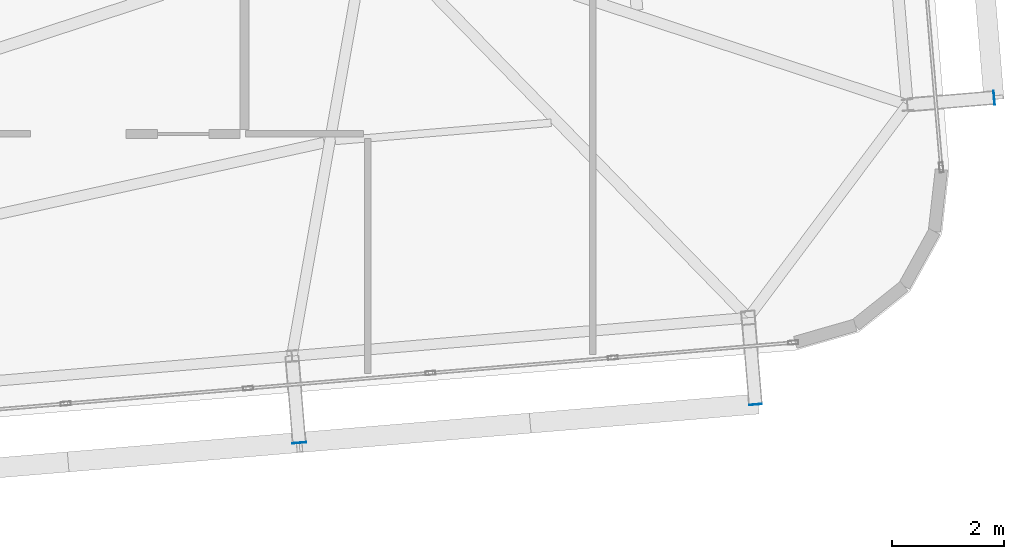
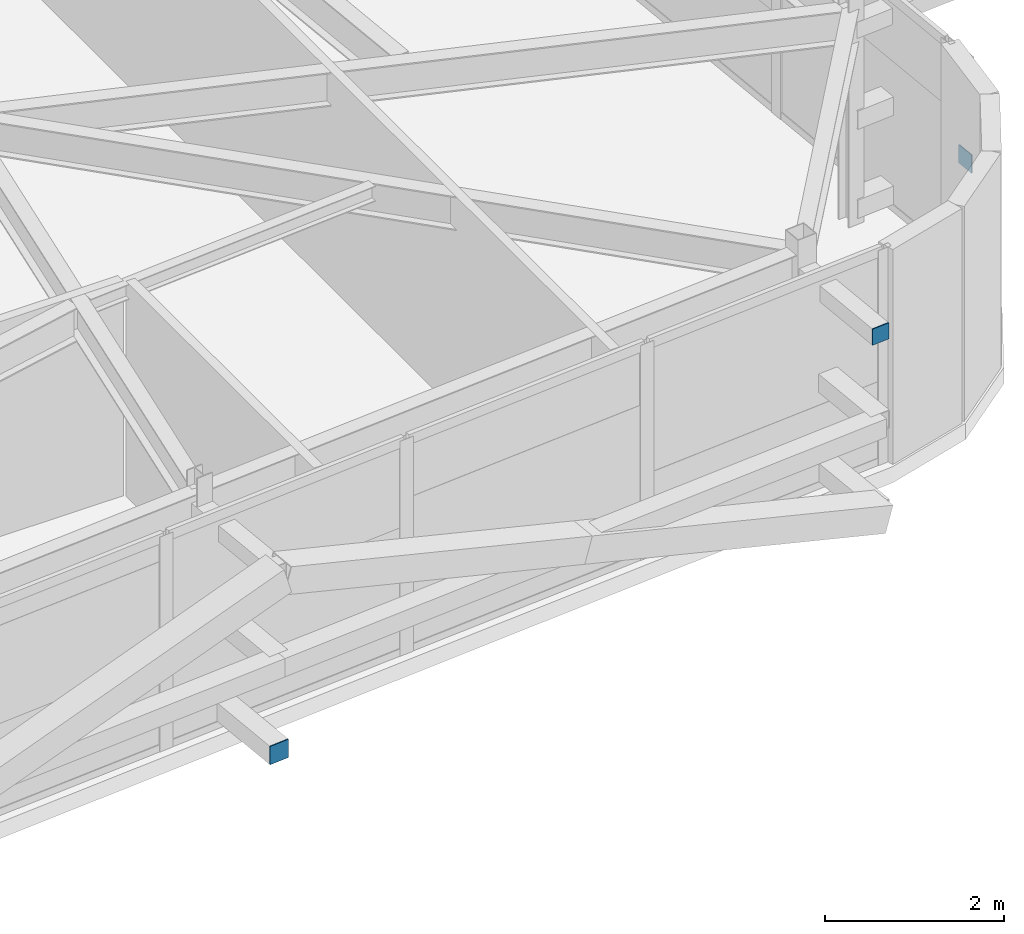
# One storey, part 37 of 46: 3 plates.
"""IFC4 building model written with IfcOpenShell, lengths in metres."""

import ifcopenshell
import ifcopenshell.guid

model = None  # the IFC model being written
_history = None  # IfcOwnerHistory: only IFC2X3 demands one
_inside = {}  # id of a spatial element -> (the spatial element, [elements in it])
_under = {}  # id of a project, library or spatial element -> (it, [spatial elements below it])
_declared = {}  # id of a project -> (the project, [libraries it declares])
_typed = {}  # id of a type object -> (the type object, [elements of that type])
_made_of = {}  # id of a material, layer set ... -> (it, [elements and type objects made of it])


def new_model(schema):
    """Start an empty IFC model of exactly this schema.

    Asked for "IFC4X3", IfcOpenShell would pick the latest addendum, in which some entities
    have other attributes; the version numbers below select the first issue.
    IFC2X3 requires an IfcOwnerHistory on every rooted entity: one is made here for all.
    """
    global model, _history
    if schema == "IFC4X3":
        model = ifcopenshell.file(schema_version=(4, 3, 0, 0))
    else:
        model = ifcopenshell.file(schema=schema)
    _inside.clear()
    _under.clear()
    _declared.clear()
    _typed.clear()
    _made_of.clear()
    _history = None
    if model.schema == "IFC2X3":
        org = make("IfcOrganization", Name="unknown")
        user = make(
            "IfcPersonAndOrganization",
            ThePerson=make("IfcPerson", FamilyName="unknown"),
            TheOrganization=org,
        )
        app = make(
            "IfcApplication",
            ApplicationDeveloper=org,
            Version="unknown",
            ApplicationFullName="unknown",
            ApplicationIdentifier="unknown",
        )
        _history = make(
            "IfcOwnerHistory",
            OwningUser=user,
            OwningApplication=app,
            ChangeAction="ADDED",
            CreationDate=0,
        )
    return model


def make(cls, **values):
    """One entity of the class cls with the attributes given. An attribute that is None is left unset."""
    return model.create_entity(
        cls, **{name: value for name, value in values.items() if value is not None}
    )


def rooted(cls, **values):
    """An entity with a GlobalId (a new one), such as an element, a storey or a relation."""
    return make(cls, GlobalId=ifcopenshell.guid.new(), OwnerHistory=_history, **values)


def si_unit(unit_type, name, prefix=None):
    """IfcSIUnit, for example si_unit("LENGTHUNIT", "METRE", prefix="MILLI")."""
    return make("IfcSIUnit", UnitType=unit_type, Prefix=prefix, Name=name)


def assignment(units):
    """IfcUnitAssignment: the units of a project."""
    return None if units is None else make("IfcUnitAssignment", Units=units)


def point(xyz):
    """IfcCartesianPoint."""
    return None if xyz is None else make("IfcCartesianPoint", Coordinates=xyz)


def direction(xyz):
    """IfcDirection."""
    return None if xyz is None else make("IfcDirection", DirectionRatios=xyz)


def frame(location, z_axis=None, x_axis=None):
    """IfcAxis2Placement3D, a coordinate frame: its origin and axes. An axis left out is left unset."""
    return make(
        "IfcAxis2Placement3D",
        Location=point(location),
        Axis=direction(z_axis),
        RefDirection=direction(x_axis),
    )


def frame_2d(location, x_axis=None):
    """IfcAxis2Placement2D, a coordinate frame in the plane: its origin and x axis."""
    return make(
        "IfcAxis2Placement2D", Location=point(location), RefDirection=direction(x_axis)
    )


def origin():
    """The frame at (0, 0, 0) with its axes left unset."""
    return frame((0.0, 0.0, 0.0))


def origin_2d():
    """The frame at (0, 0) in the plane with its x axis left unset."""
    return frame_2d((0.0, 0.0))


def place(relative_to, where):
    """IfcLocalPlacement: puts the frame where relative to a parent placement (None: the world)."""
    return make(
        "IfcLocalPlacement", PlacementRelTo=relative_to, RelativePlacement=where
    )


def context(
    kind, dimensions, precision=None, world=None, true_north=None, identifier=None
):
    """IfcGeometricRepresentationContext, for example the 3D "Model" context."""
    return make(
        "IfcGeometricRepresentationContext",
        ContextIdentifier=identifier,
        ContextType=kind,
        CoordinateSpaceDimension=dimensions,
        Precision=precision,
        WorldCoordinateSystem=world,
        TrueNorth=true_north,
    )


def subcontext(parent, identifier, kind, view, scale=None):
    """IfcGeometricRepresentationSubContext, for example "Body" below "Model"."""
    return make(
        "IfcGeometricRepresentationSubContext",
        ContextIdentifier=identifier,
        ContextType=kind,
        ParentContext=parent,
        TargetScale=scale,
        TargetView=view,
    )


def project(units=None, contexts=None):
    """IfcProject with its units and contexts."""
    return rooted(
        "IfcProject",
        Name="project",
        RepresentationContexts=contexts,
        UnitsInContext=assignment(units),
    )


def spatial(cls, under=None, at=None, **own):
    """A site, building, storey or space (cls), placed at a placement, below another one or the project."""
    s = rooted(cls, ObjectPlacement=at, **own)
    if under is not None:
        _under.setdefault(under.id(), (under, []))[1].append(s)
    return s


def profile(cls, at=None, kind="AREA", **sizes):
    """A parametric profile (cls). Its sizes go by their IFC names, for example OverallWidth=200.0."""
    return make(cls, ProfileType=kind, Position=at, **sizes)


def rectangle(**sizes):
    """IfcRectangleProfileDef."""
    return profile("IfcRectangleProfileDef", **sizes)


def extrude(swept, where, along, depth):
    """IfcExtrudedAreaSolid: the profile swept, set in the frame where, extruded along a direction by depth."""
    return make(
        "IfcExtrudedAreaSolid",
        SweptArea=swept,
        Position=where,
        ExtrudedDirection=direction(along),
        Depth=depth,
    )


def shape(context_of_items, identifier, shape_type, items):
    """IfcShapeRepresentation: the items that make up one representation, for example the "Body"."""
    return make(
        "IfcShapeRepresentation",
        ContextOfItems=context_of_items,
        RepresentationIdentifier=identifier,
        RepresentationType=shape_type,
        Items=items,
    )


def source(mapping_origin, context_of_items, identifier, shape_type, items):
    """IfcRepresentationMap: a shape defined once, which mapped items show again and again."""
    return make(
        "IfcRepresentationMap",
        MappingOrigin=mapping_origin,
        MappedRepresentation=shape(context_of_items, identifier, shape_type, items),
    )


def transform(
    local_origin,
    x_axis=None,
    y_axis=None,
    z_axis=None,
    scale=None,
    scale2=None,
    scale3=None,
    uniform=True,
):
    """IfcCartesianTransformationOperator3D, or its non-uniform kind. x_axis, y_axis, z_axis: its Axis1, 2, 3."""
    if uniform:
        return make(
            "IfcCartesianTransformationOperator3D",
            Axis1=direction(x_axis),
            Axis2=direction(y_axis),
            LocalOrigin=point(local_origin),
            Scale=scale,
            Axis3=direction(z_axis),
        )
    return make(
        "IfcCartesianTransformationOperator3DnonUniform",
        Axis1=direction(x_axis),
        Axis2=direction(y_axis),
        LocalOrigin=point(local_origin),
        Scale=scale,
        Axis3=direction(z_axis),
        Scale2=scale2,
        Scale3=scale3,
    )


def mapped(mapping_source, mapping_target):
    """IfcMappedItem: shows the shape of a source again, moved by a transform."""
    return make(
        "IfcMappedItem", MappingSource=mapping_source, MappingTarget=mapping_target
    )


def material(Name=None, Category=None):
    """IfcMaterial."""
    return make("IfcMaterial", Name=Name, Category=Category)


def layer(
    of_material, thickness, ventilated=None, Name=None, Category=None, Priority=None
):
    """IfcMaterialLayer: one layer of a wall or slab, of a material (None: an air gap)."""
    return make(
        "IfcMaterialLayer",
        Material=of_material,
        LayerThickness=thickness,
        IsVentilated=ventilated,
        Name=Name,
        Category=Category,
        Priority=Priority,
    )


def layer_set(layers, Name=None):
    """IfcMaterialLayerSet."""
    return make("IfcMaterialLayerSet", MaterialLayers=layers, LayerSetName=Name)


def made_of(thing, what):
    """Note that an element or type object is made of a material, layer set ...; save() writes the relation."""
    if what is not None:
        _made_of.setdefault(what.id(), (what, []))[1].append(thing)
    return thing


def type_object(cls, material=None, **own):
    """A type object (cls), such as IfcWallType, which elements share."""
    return made_of(rooted(cls, **own), material)


def element(
    cls,
    number,
    at=None,
    inside=None,
    cuts=None,
    type_object=None,
    material=None,
    context=None,
    identifier="Body",
    shape_type=None,
    held_by="IfcProductDefinitionShape",
    body=None,
    shapes=None,
    **own,
):
    """One element of the class cls, such as IfcWall. Its Tag is "e" and its number.

    at: its placement. inside: the storey or other place that contains it. cuts: it is an
    opening in that element (IfcRelVoidsElement). A single representation is given by context,
    identifier, shape_type and body (its items); several are given by shapes. held_by: the class
    of the entity that holds the representations. save() writes the other relations.
    """
    e = rooted(cls, Tag="e%d" % number, ObjectPlacement=at, **own)
    if body is not None:
        shapes = [shape(context, identifier, shape_type, body)]
    if shapes is not None:
        e.Representation = make(held_by, Representations=shapes)
    if inside is not None:
        _inside.setdefault(inside.id(), (inside, []))[1].append(e)
    if cuts is not None:
        rooted(
            "IfcRelVoidsElement", RelatingBuildingElement=cuts, RelatedOpeningElement=e
        )
    if type_object is not None:
        _typed.setdefault(type_object.id(), (type_object, []))[1].append(e)
    return made_of(e, material)


def aggregate(whole, parts):
    """IfcRelAggregates: a whole, such as a stair, and the parts it consists of."""
    return rooted("IfcRelAggregates", RelatingObject=whole, RelatedObjects=parts)


def save(model, path):
    """Write the relations noted so far, then the file.

    IfcRelAggregates (storeys below a building ...), IfcRelContainedInSpatialStructure (elements
    in a storey), IfcRelDefinesByType, IfcRelAssociatesMaterial and IfcRelDeclares: one each for
    every whole, place, type object, material and project.
    """
    for whole, parts in _under.values():
        aggregate(whole, parts)
    for where, things in _inside.values():
        rooted(
            "IfcRelContainedInSpatialStructure",
            RelatedElements=things,
            RelatingStructure=where,
        )
    for kind, things in _typed.values():
        rooted("IfcRelDefinesByType", RelatedObjects=things, RelatingType=kind)
    for what, things in _made_of.values():
        rooted("IfcRelAssociatesMaterial", RelatedObjects=things, RelatingMaterial=what)
    for by, libraries in _declared.values():
        rooted("IfcRelDeclares", RelatingContext=by, RelatedDefinitions=libraries)
    model.write(path)


model = new_model("IFC4")

# Units and contexts
model_context = context("Model", 3, precision=1e-05, world=origin(), true_north=direction((0.0, 1.0)))
body_context = subcontext(model_context, "Body", "Model", "MODEL_VIEW")
ifc_project = project(units=[si_unit("LENGTHUNIT", "METRE"), si_unit("AREAUNIT", "SQUARE_METRE"), si_unit("VOLUMEUNIT", "CUBIC_METRE"), si_unit("PLANEANGLEUNIT", "RADIAN"), si_unit("MASSUNIT", "GRAM", prefix="KILO")], contexts=[model_context])

# Site, building, storey
site_placement = place(None, origin())
site = spatial("IfcSite", under=ifc_project, at=site_placement, CompositionType="ELEMENT")
building_placement = place(site_placement, origin())
building = spatial("IfcBuilding", under=site, at=building_placement, Name="Taldren Reach Tower", CompositionType="ELEMENT")
storey_placement = place(building_placement, frame((0.0, 0.0, 194.60009765625)))
storey = spatial("IfcBuildingStorey", under=building, at=storey_placement, Name="L59", CompositionType="ELEMENT", Elevation=194.60009765625)

# Plates
ifc_material_1 = material(Name="Steel Gr 350 (C350L0)", Category="steel")
ifc_layer_1 = layer(ifc_material_1, 0.011962890625)
ifc_layer_set_1 = layer_set([ifc_layer_1], Name="Steel Gr 350 (C350L0)")
plate_type_1 = type_object("IfcPlateType", Name="PL-CAP-250", PredefinedType="SHEET", material=ifc_layer_set_1)
shared_shape_1 = source(origin(), body_context, "Body", "SweptSolid", [
    extrude(rectangle(XDim=0.25, YDim=0.011962890625, at=origin_2d()), origin(), (0.0, 0.0, 1.0), 0.25),
])
plate_1_placement = place(storey_placement, frame((50.775146484375, 3.281494140625, 0.094970703125), z_axis=(0.0, 0.0, 1.0), x_axis=(0.99649285925, 0.083677843332, 0.0)))
element("IfcPlate", 1, at=plate_1_placement, inside=storey, type_object=plate_type_1, Name="Tie strut end cap plate B4-S5 L59", PredefinedType="SHEET", context=body_context, shape_type="MappedRepresentation", body=[
    mapped(shared_shape_1, transform((0.0, 0.0, 0.0), scale=1.0)),
])
shared_shape_2 = source(origin(), body_context, "Body", "SweptSolid", [
    extrude(rectangle(XDim=0.011962890625, YDim=0.25, at=origin_2d()), origin(), (0.0, 0.0, 1.0), 0.25),
])
plate_2_placement = place(storey_placement, frame((63.188720703125, 9.44775390625, 0.094970703125), z_axis=(0.0, 0.0, 1.0), x_axis=(0.99649285925, 0.083677843332, 0.0)))
element("IfcPlate", 2, at=plate_2_placement, inside=storey, type_object=plate_type_1, Name="Tie strut end cap plate B4-E1 L59", PredefinedType="SHEET", context=body_context, shape_type="MappedRepresentation", body=[
    mapped(shared_shape_2, transform((0.0, 0.0, 0.0), scale=1.0)),
])
ifc_material_2 = material(Name="Steel Gr 450 (C450L0)", Category="steel")
ifc_layer_2 = layer(ifc_material_2, 0.011962890625)
ifc_layer_set_2 = layer_set([ifc_layer_2], Name="Steel Gr 450 (C450L0)")
plate_type_2 = type_object("IfcPlateType", Name="PL-CAP-220", PredefinedType="SHEET", material=ifc_layer_set_2)
shared_shape_3 = source(origin(), body_context, "Body", "SweptSolid", [
    extrude(rectangle(XDim=0.219970703125, YDim=0.011962890625, at=origin_2d()), origin(), (0.0, 0.0, 1.0), 0.219970703125),
])
plate_3_placement = place(storey_placement, frame((58.926513671875, 3.9658203125, 2.5400390625), z_axis=(0.0, 0.0, 1.0), x_axis=(0.99649285925, 0.083677843332, 0.0)))
element("IfcPlate", 3, at=plate_3_placement, inside=storey, type_object=plate_type_2, Name="Tie strut end cap plate B4-S6 L59", PredefinedType="SHEET", context=body_context, shape_type="MappedRepresentation", body=[
    mapped(shared_shape_3, transform((0.0, 0.0, 0.0), scale=1.0)),
])

save(model, "model.ifc")
